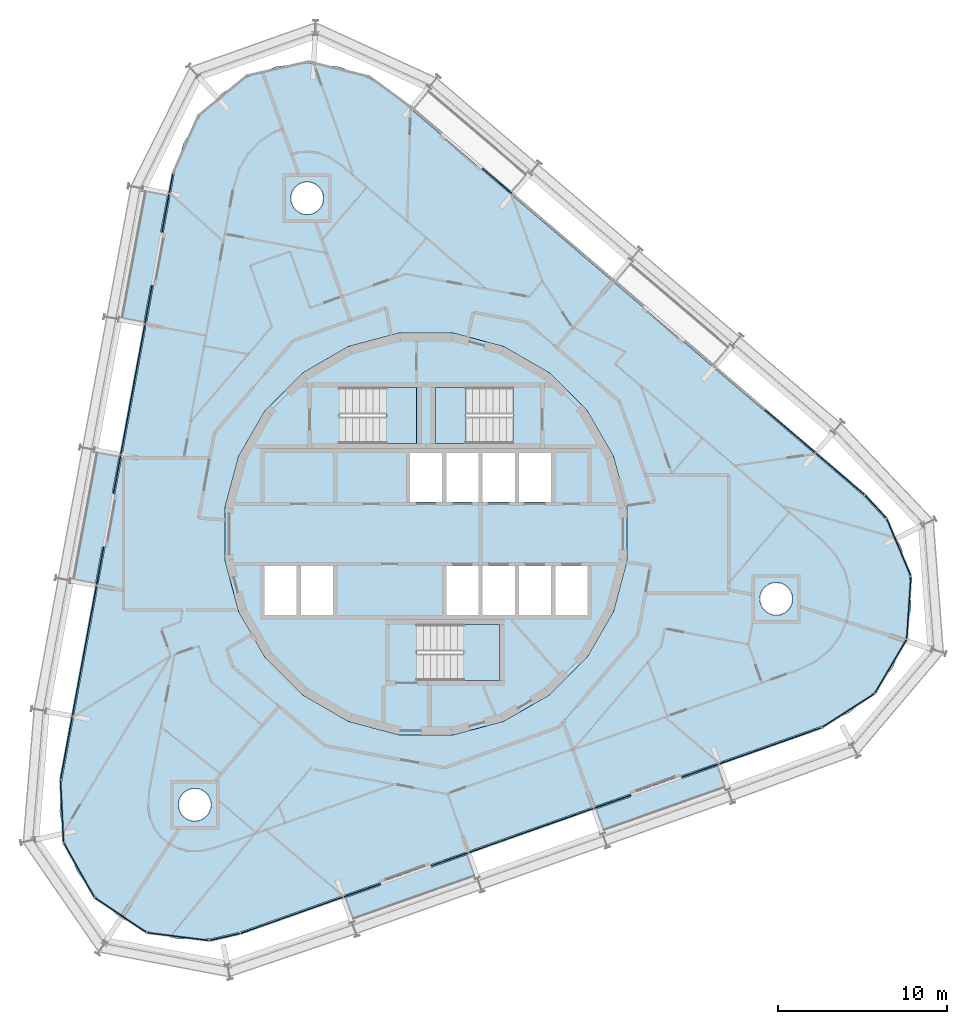
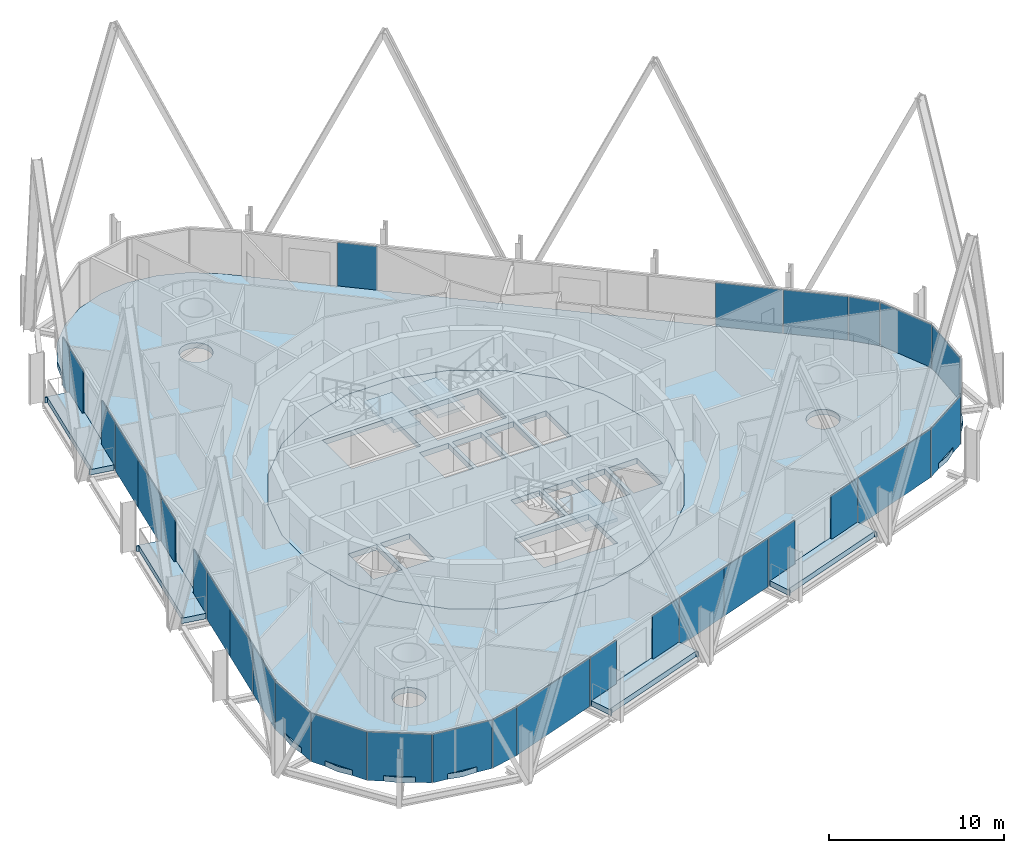
# One storey, part 9 of 17: 31 plates, 9 slabs, 9 elements without a shape of their own.
"""IFC4 building model written with IfcOpenShell, lengths in metres."""

from ifc_helpers import new_model, si_unit, direction, frame, origin, origin_2d, place, context, subcontext, project, spatial, polyline, rectangle, outline, extrude, material, layer, layer_set, type_object, element, aggregate, save


model = new_model("IFC4")

# Units and contexts
model_context = context("Model", 3, precision=1e-05, world=origin(), true_north=direction((0.0, 1.0)))
body_context = subcontext(model_context, "Body", "Model", "MODEL_VIEW")
ifc_project = project(units=[si_unit("LENGTHUNIT", "METRE"), si_unit("AREAUNIT", "SQUARE_METRE"), si_unit("VOLUMEUNIT", "CUBIC_METRE"), si_unit("PLANEANGLEUNIT", "RADIAN"), si_unit("MASSUNIT", "GRAM", prefix="KILO")], contexts=[model_context])

# Site, building, storey
site_placement = place(None, origin())
site = spatial("IfcSite", under=ifc_project, at=site_placement, CompositionType="ELEMENT")
building_placement = place(site_placement, origin())
building = spatial("IfcBuilding", under=site, at=building_placement, Name="Spindle Arch Residences", CompositionType="ELEMENT")
storey_placement = place(building_placement, frame((0.0, 0.0, 165.699951171875)))
storey = spatial("IfcBuildingStorey", under=building, at=storey_placement, Name="L41", CompositionType="ELEMENT", Elevation=165.699951171875)

# Slabs
ifc_material_1 = material(Name="Concrete C40/50", Category="concrete")
ifc_layer_1 = layer(ifc_material_1, 0.3798828125)
ifc_layer_set_1 = layer_set([ifc_layer_1], Name="Balcony slab 380")
slab_type_1 = type_object("IfcSlabType", Name="Balcony slab 380", PredefinedType="FLOOR", material=ifc_layer_set_1)
slab_1_placement = place(storey_placement, frame((0.0, 0.0, -0.3798828125)))
element("IfcSlab", 1, at=slab_1_placement, inside=storey, type_object=slab_type_1, Name="Balcony L41 bay 1", PredefinedType="FLOOR", context=body_context, shape_type="SweptSolid", body=[
    extrude(outline(polyline([(10.512451171875, -17.6884765625), (10.583251953125, -17.663330078125), (10.533203125, -17.52197265625), (17.65966796875, -14.998291015625), (17.709716796875, -15.1396484375), (17.7802734375, -15.11474609375), (17.282958984375, -13.710205078125), (15.1572265625, -14.462890625), (15.10400390625, -14.31201171875), (12.08740234375, -15.38037109375), (12.140869140625, -15.531005859375), (10.01513671875, -16.283935546875), (10.512451171875, -17.6884765625)])), origin(), (0.0, 0.0, 1.0), 0.3798828125),
])
slab_2_placement = place(storey_placement, frame((0.0, 0.0, -0.3798828125)))
element("IfcSlab", 2, at=slab_2_placement, inside=storey, type_object=slab_type_1, Name="Balcony L41 bay 13", PredefinedType="FLOOR", context=body_context, shape_type="SweptSolid", body=[
    extrude(outline(polyline([(-16.755126953125, 20.349365234375), (-16.768798828125, 20.275634765625), (-16.621337890625, 20.248291015625), (-17.9990234375, 12.814697265625), (-18.146484375, 12.842041015625), (-18.16015625, 12.768310546875), (-16.695068359375, 12.496826171875), (-16.2841796875, 14.714111328125), (-16.126953125, 14.684814453125), (-15.543701171875, 17.831298828125), (-15.700927734375, 17.860595703125), (-15.2900390625, 20.077880859375), (-16.755126953125, 20.349365234375)])), origin(), (0.0, 0.0, 1.0), 0.3798828125),
])
slab_3_placement = place(storey_placement, frame((0.0, 0.0, -0.3798828125)))
element("IfcSlab", 3, at=slab_3_placement, inside=storey, type_object=slab_type_1, Name="Balcony L41 bay 15", PredefinedType="FLOOR", context=body_context, shape_type="SweptSolid", body=[
    extrude(outline(polyline([(-19.619873046875, 4.892333984375), (-19.633544921875, 4.818603515625), (-19.486083984375, 4.791259765625), (-20.86376953125, -2.64208984375), (-21.01123046875, -2.61474609375), (-21.02490234375, -2.6884765625), (-19.559814453125, -2.960205078125), (-19.14892578125, -0.742919921875), (-18.99169921875, -0.77197265625), (-18.408447265625, 2.37451171875), (-18.56591796875, 2.403564453125), (-18.15478515625, 4.620849609375), (-19.619873046875, 4.892333984375)])), origin(), (0.0, 0.0, 1.0), 0.3798828125),
])
slab_4_placement = place(storey_placement, frame((0.0, 0.0, -0.3798828125)))
element("IfcSlab", 4, at=slab_4_placement, inside=storey, type_object=slab_type_1, Name="Balcony L41 bay 21", PredefinedType="FLOOR", context=body_context, shape_type="SweptSolid", body=[
    extrude(outline(polyline([(-4.305908203125, -22.935791015625), (-4.2353515625, -22.910888671875), (-4.285400390625, -22.76953125), (2.841064453125, -20.245849609375), (2.89111328125, -20.38720703125), (2.9619140625, -20.3623046875), (2.464599609375, -18.957763671875), (0.3388671875, -19.71044921875), (0.285400390625, -19.5595703125), (-2.73095703125, -20.627685546875), (-2.677734375, -20.778564453125), (-4.80322265625, -21.53125), (-4.305908203125, -22.935791015625)])), origin(), (0.0, 0.0, 1.0), 0.3798828125),
])
ifc_material_2 = material(Name="Concrete C50/60", Category="concrete")
ifc_layer_2 = layer(ifc_material_2, 0.3798828125)
ifc_layer_set_2 = layer_set([ifc_layer_2], Name="Core floor slab 380")
slab_type_2 = type_object("IfcSlabType", Name="Core floor slab 380", PredefinedType="FLOOR", material=ifc_layer_set_2)
slab_5_placement = place(storey_placement, frame((0.0, 0.0, -0.3798828125)))
element("IfcSlab", 5, at=slab_5_placement, inside=storey, type_object=slab_type_2, Name="Core floor L41", PredefinedType="FLOOR", context=body_context, shape_type="SweptSolid", body=[
    extrude(outline(polyline([(1.56640625, -11.897216796875), (4.59228515625, -11.086669921875), (7.30517578125, -9.520263671875), (9.520263671875, -7.30517578125), (11.086669921875, -4.59228515625), (11.897216796875, -1.56640625), (11.897216796875, 1.56640625), (11.086669921875, 4.59228515625), (9.520263671875, 7.30517578125), (7.30517578125, 9.520263671875), (4.59228515625, 11.086669921875), (1.56640625, 11.897216796875), (-1.56640625, 11.897216796875), (-4.59228515625, 11.086669921875), (-7.30517578125, 9.520263671875), (-9.520263671875, 7.30517578125), (-11.086669921875, 4.59228515625), (-11.897216796875, 1.56640625), (-11.897216796875, -1.56640625), (-11.086669921875, -4.59228515625), (-9.520263671875, -7.30517578125), (-7.30517578125, -9.520263671875), (-4.59228515625, -11.086669921875), (-1.56640625, -11.897216796875), (1.56640625, -11.897216796875)]), holes=[polyline([(-0.949951171875, 1.89990234375), (0.949951171875, 1.89990234375), (0.949951171875, 4.800048828125), (-0.949951171875, 4.800048828125), (-0.949951171875, 1.89990234375)]), polyline([(1.199951171875, 1.89990234375), (3.10009765625, 1.89990234375), (3.10009765625, 4.800048828125), (1.199951171875, 4.800048828125), (1.199951171875, 1.89990234375)]), polyline([(3.35009765625, 1.89990234375), (5.25, 1.89990234375), (5.25, 4.800048828125), (3.35009765625, 4.800048828125), (3.35009765625, 1.89990234375)]), polyline([(5.5, 1.89990234375), (7.39990234375, 1.89990234375), (7.39990234375, 4.800048828125), (5.5, 4.800048828125), (5.5, 1.89990234375)]), polyline([(-9.550048828125, -4.800048828125), (-7.64990234375, -4.800048828125), (-7.64990234375, -1.89990234375), (-9.550048828125, -1.89990234375), (-9.550048828125, -4.800048828125)]), polyline([(-7.39990234375, -4.800048828125), (-5.5, -4.800048828125), (-5.5, -1.89990234375), (-7.39990234375, -1.89990234375), (-7.39990234375, -4.800048828125)]), polyline([(1.199951171875, -4.800048828125), (3.10009765625, -4.800048828125), (3.10009765625, -1.89990234375), (1.199951171875, -1.89990234375), (1.199951171875, -4.800048828125)]), polyline([(3.35009765625, -4.800048828125), (5.25, -4.800048828125), (5.25, -1.89990234375), (3.35009765625, -1.89990234375), (3.35009765625, -4.800048828125)]), polyline([(5.5, -4.800048828125), (7.39990234375, -4.800048828125), (7.39990234375, -1.89990234375), (5.5, -1.89990234375), (5.5, -4.800048828125)]), polyline([(7.64990234375, -4.800048828125), (9.550048828125, -4.800048828125), (9.550048828125, -1.89990234375), (7.64990234375, -1.89990234375), (7.64990234375, -4.800048828125)]), polyline([(5.1298828125, 8.669921875), (0.550048828125, 8.669921875), (0.550048828125, 5.35009765625), (5.1298828125, 5.35009765625), (5.1298828125, 8.669921875)]), polyline([(-5.1298828125, 5.35009765625), (-0.550048828125, 5.35009765625), (-0.550048828125, 8.669921875), (-5.1298828125, 8.669921875), (-5.1298828125, 5.35009765625)]), polyline([(-0.530029296875, -8.669921875), (4.35009765625, -8.669921875), (4.35009765625, -5.35009765625), (-0.530029296875, -5.35009765625), (-0.530029296875, -8.669921875)])]), origin(), (0.0, 0.0, 1.0), 0.3798828125),
])

# Stair, slab
ifc_material_3 = material(Name="Concrete C50/60", Category="concrete")
stair_type = type_object("IfcStairType", Name="Exit stair 16 risers", PredefinedType="HALF_TURN_STAIR", material=ifc_material_3)
stair_1_placement = place(storey_placement, origin())
stair_1 = element("IfcStair", 6, at=stair_1_placement, inside=storey, type_object=stair_type, Name="L41 Exit stair ST1", PredefinedType="HALF_TURN_STAIR")
ifc_material_4 = material(Name="Concrete C50/60", Category="concrete")
ifc_layer_3 = layer(ifc_material_4, 0.219970703125)
ifc_layer_set_3 = layer_set([ifc_layer_3], Name="Exit stair landing 220")
slab_type_3 = type_object("IfcSlabType", Name="Exit stair landing 220", PredefinedType="LANDING", material=ifc_layer_set_3)
slab_6_placement = place(storey_placement, frame((0.0, 0.0, 1.530029296875)))
slab_6 = element("IfcSlab", 7, at=slab_6_placement, type_object=slab_type_3, Name="ST1 landing 1", PredefinedType="LANDING", context=body_context, shape_type="SweptSolid", body=[
    extrude(outline(polyline([(2.3701171875, 8.669921875), (0.550048828125, 8.669921875), (0.550048828125, 5.35009765625), (2.3701171875, 5.35009765625), (2.3701171875, 8.669921875)])), origin(), (0.0, 0.0, 1.0), 0.219970703125),
])
aggregate(stair_1, [slab_6])

stair_2_placement = place(storey_placement, origin())
stair_2 = element("IfcStair", 8, at=stair_2_placement, inside=storey, type_object=stair_type, Name="L41 Exit stair ST2", PredefinedType="HALF_TURN_STAIR")
slab_7_placement = place(storey_placement, frame((0.0, 0.0, 1.530029296875)))
slab_7 = element("IfcSlab", 9, at=slab_7_placement, type_object=slab_type_3, Name="ST2 landing 1", PredefinedType="LANDING", context=body_context, shape_type="SweptSolid", body=[
    extrude(outline(polyline([(-2.3701171875, 5.35009765625), (-0.550048828125, 5.35009765625), (-0.550048828125, 8.669921875), (-2.3701171875, 8.669921875), (-2.3701171875, 5.35009765625)])), origin(), (0.0, 0.0, 1.0), 0.219970703125),
])
aggregate(stair_2, [slab_7])

stair_3_placement = place(storey_placement, origin())
stair_3 = element("IfcStair", 10, at=stair_3_placement, inside=storey, type_object=stair_type, Name="L41 Exit stair ST3", PredefinedType="HALF_TURN_STAIR")
slab_8_placement = place(storey_placement, frame((0.0, 0.0, 1.530029296875)))
slab_8 = element("IfcSlab", 11, at=slab_8_placement, type_object=slab_type_3, Name="ST3 landing 1", PredefinedType="LANDING", context=body_context, shape_type="SweptSolid", body=[
    extrude(outline(polyline([(2.22998046875, -8.669921875), (4.35009765625, -8.669921875), (4.35009765625, -5.35009765625), (2.22998046875, -5.35009765625), (2.22998046875, -8.669921875)])), origin(), (0.0, 0.0, 1.0), 0.219970703125),
])
aggregate(stair_3, [slab_8])

# Slab
ifc_material_5 = material(Name="Concrete C40/50", Category="concrete")
ifc_layer_4 = layer(ifc_material_5, 0.3798828125)
ifc_layer_set_4 = layer_set([ifc_layer_4], Name="Floor slab 380")
slab_type_4 = type_object("IfcSlabType", Name="Floor slab 380", PredefinedType="FLOOR", material=ifc_layer_set_4)
slab_9_placement = place(storey_placement, frame((0.0, 0.0, -0.3798828125)))
element("IfcSlab", 12, at=slab_9_placement, inside=storey, type_object=slab_type_4, Name="Floor slab L41", PredefinedType="FLOOR", context=body_context, shape_type="SweptSolid", body=[
    extrude(outline(polyline([(-12.82177734375, -23.972412109375), (-14.67919921875, -23.9560546875), (-16.48291015625, -23.511962890625), (-18.135498046875, -22.663818359375), (-19.5478515625, -21.45751953125), (-20.64404296875, -19.9580078125), (-21.36474609375, -18.24609375), (-21.67138671875, -16.4140625), (-21.547119140625, -14.560791015625), (-14.89794921875, 21.3154296875), (-14.349609375, 23.090087890625), (-13.406982421875, 24.690673828125), (-12.12060546875, 26.030517578125), (-10.559814453125, 27.03759765625), (-8.808837890625, 27.65771484375), (-6.962158203125, 27.857421875), (-5.119140625, 27.62548828125), (-3.37939453125, 26.97509765625), (-1.83642578125, 25.94091796875), (25.90869140625, 2.244384765625), (27.171630859375, 0.882080078125), (28.086181640625, -0.734619140625), (28.603515625, -2.5185546875), (28.6953125, -4.373779296875), (28.356689453125, -6.2001953125), (27.606201171875, -7.8994140625), (26.48388671875, -9.37939453125), (25.05078125, -10.56103515625), (23.383544921875, -11.380126953125), (6.186279296875, -17.469970703125), (-11.0107421875, -23.559814453125), (-12.82177734375, -23.972412109375)]), holes=[polyline([(7.30517578125, -9.520263671875), (9.520263671875, -7.30517578125), (11.086669921875, -4.59228515625), (11.897216796875, -1.56640625), (11.897216796875, 1.56640625), (11.086669921875, 4.59228515625), (9.520263671875, 7.30517578125), (7.30517578125, 9.520263671875), (4.59228515625, 11.086669921875), (1.56640625, 11.897216796875), (-1.56640625, 11.897216796875), (-4.59228515625, 11.086669921875), (-7.30517578125, 9.520263671875), (-9.520263671875, 7.30517578125), (-11.086669921875, 4.59228515625), (-11.897216796875, 1.56640625), (-11.897216796875, -1.56640625), (-11.086669921875, -4.59228515625), (-9.520263671875, -7.30517578125), (-7.30517578125, -9.520263671875), (-4.59228515625, -11.086669921875), (-1.56640625, -11.897216796875), (1.56640625, -11.897216796875), (4.59228515625, -11.086669921875), (7.30517578125, -9.520263671875)]), polyline([(-12.99169921875, -16.7080078125), (-12.87060546875, -16.560302734375), (-12.780517578125, -16.3916015625), (-12.724853515625, -16.208740234375), (-12.706298828125, -16.0185546875), (-12.724853515625, -15.828369140625), (-12.780517578125, -15.6455078125), (-12.87060546875, -15.476806640625), (-12.99169921875, -15.3291015625), (-13.139404296875, -15.2080078125), (-13.30810546875, -15.117919921875), (-13.490966796875, -15.062255859375), (-13.68115234375, -15.043701171875), (-13.871337890625, -15.062255859375), (-14.05419921875, -15.117919921875), (-14.222900390625, -15.2080078125), (-14.37060546875, -15.3291015625), (-14.491943359375, -15.476806640625), (-14.58203125, -15.6455078125), (-14.637451171875, -15.828369140625), (-14.65625, -16.0185546875), (-14.637451171875, -16.208740234375), (-14.58203125, -16.3916015625), (-14.491943359375, -16.560302734375), (-14.37060546875, -16.7080078125), (-14.222900390625, -16.829345703125), (-14.05419921875, -16.91943359375), (-13.871337890625, -16.974853515625), (-13.68115234375, -16.99365234375), (-13.490966796875, -16.974853515625), (-13.30810546875, -16.91943359375), (-13.139404296875, -16.829345703125), (-12.99169921875, -16.7080078125)]), polyline([(-6.22119140625, 19.31591796875), (-6.131103515625, 19.484619140625), (-6.07568359375, 19.66748046875), (-6.056884765625, 19.857666015625), (-6.07568359375, 20.0478515625), (-6.131103515625, 20.230712890625), (-6.22119140625, 20.3994140625), (-6.342529296875, 20.547119140625), (-6.490234375, 20.668212890625), (-6.65869140625, 20.75830078125), (-6.841796875, 20.81396484375), (-7.031982421875, 20.83251953125), (-7.22216796875, 20.81396484375), (-7.405029296875, 20.75830078125), (-7.573486328125, 20.668212890625), (-7.72119140625, 20.547119140625), (-7.842529296875, 20.3994140625), (-7.9326171875, 20.230712890625), (-7.98828125, 20.0478515625), (-8.0068359375, 19.857666015625), (-7.98828125, 19.66748046875), (-7.9326171875, 19.484619140625), (-7.842529296875, 19.31591796875), (-7.72119140625, 19.168212890625), (-7.573486328125, 19.046875), (-7.405029296875, 18.956787109375), (-7.22216796875, 18.9013671875), (-7.031982421875, 18.882568359375), (-6.841796875, 18.9013671875), (-6.65869140625, 18.956787109375), (-6.490234375, 19.046875), (-6.342529296875, 19.168212890625), (-6.22119140625, 19.31591796875)]), polyline([(21.523681640625, -4.380615234375), (21.614013671875, -4.212158203125), (21.66943359375, -4.029296875), (21.68798828125, -3.839111328125), (21.66943359375, -3.648681640625), (21.614013671875, -3.4658203125), (21.523681640625, -3.29736328125), (21.402587890625, -3.149658203125), (21.2548828125, -3.0283203125), (21.086181640625, -2.938232421875), (20.9033203125, -2.8828125), (20.713134765625, -2.864013671875), (20.52294921875, -2.8828125), (20.340087890625, -2.938232421875), (20.17138671875, -3.0283203125), (20.023681640625, -3.149658203125), (19.90234375, -3.29736328125), (19.812255859375, -3.4658203125), (19.7568359375, -3.648681640625), (19.738037109375, -3.839111328125), (19.7568359375, -4.029296875), (19.812255859375, -4.212158203125), (19.90234375, -4.380615234375), (20.023681640625, -4.5283203125), (20.17138671875, -4.649658203125), (20.340087890625, -4.73974609375), (20.52294921875, -4.79541015625), (20.713134765625, -4.81396484375), (20.9033203125, -4.79541015625), (21.086181640625, -4.73974609375), (21.2548828125, -4.649658203125), (21.402587890625, -4.5283203125), (21.523681640625, -4.380615234375)])]), origin(), (0.0, 0.0, 1.0), 0.3798828125),
])

# Curtain wall, plates
ifc_material_6 = material(Name="Aluminium bronze unitised frame with tinted glass", Category="aluminium")
ifc_layer_5 = layer(ifc_material_6, 0.159912109375)
ifc_layer_set_5 = layer_set([ifc_layer_5], Name="CW-D corner wall on the fillet arcs")
curtain_wall_type_1 = type_object("IfcCurtainWallType", Name="CW-D corner wall on the fillet arcs", PredefinedType="NOTDEFINED", material=ifc_layer_set_5)
curtain_wall_1_placement = place(storey_placement, origin())
curtain_wall_1 = element("IfcCurtainWall", 13, at=curtain_wall_1_placement, inside=storey, type_object=curtain_wall_type_1, Name="CW-D L41 run 1", PredefinedType="NOTDEFINED")
ifc_material_7 = material(Name="Tinted double glazing over aluminium faced non-combustible spandrel zone (K0)", Category="aluminium")
ifc_layer_6 = layer(ifc_material_7, 0.06005859375)
ifc_layer_set_6 = layer_set([ifc_layer_6], Name="Unitised glass panel with E 60 spandrel zone")
plate_type = type_object("IfcPlateType", Name="Unitised glass panel with E 60 spandrel zone", PredefinedType="CURTAIN_PANEL", material=ifc_layer_set_6)
plate_1_placement = place(storey_placement, frame((20.36865234375, -12.53271484375, -0.3798828125), z_axis=(0.0, 0.0, 1.0), x_axis=(0.942641491092, 0.333806859234, 0.0)))
plate_1 = element("IfcPlate", 14, at=plate_1_placement, type_object=plate_type, Name="CW-D unit 00", PredefinedType="CURTAIN_PANEL", context=body_context, shape_type="SweptSolid", body=[
    extrude(rectangle(XDim=6.3935546875, YDim=0.06005859375, at=origin_2d()), origin(), (0.0, 0.0, 1.0), 3.3798828125),
])
plate_2_placement = place(storey_placement, frame((24.97607421875, -10.445068359375, -0.3798828125), z_axis=(0.0, 0.0, 1.0), x_axis=(0.840251309898, 0.542197137778, 0.0)))
plate_2 = element("IfcPlate", 15, at=plate_2_placement, type_object=plate_type, Name="CW-D unit 01", PredefinedType="CURTAIN_PANEL", context=body_context, shape_type="SweptSolid", body=[
    extrude(rectangle(XDim=3.666748046875, YDim=0.06005859375, at=origin_2d()), origin(), (0.0, 0.0, 1.0), 3.3798828125),
])
plate_3_placement = place(storey_placement, frame((27.487548828125, -7.829345703125, -0.3798828125), z_axis=(0.0, 0.0, 1.0), x_axis=(0.507538365713, 0.86162915882, 0.0)))
plate_3 = element("IfcPlate", 16, at=plate_3_placement, type_object=plate_type, Name="CW-D unit 02", PredefinedType="CURTAIN_PANEL", context=body_context, shape_type="SweptSolid", body=[
    extrude(rectangle(XDim=3.666748046875, YDim=0.06005859375, at=origin_2d()), origin(), (0.0, 0.0, 1.0), 3.3798828125),
])
plate_4_placement = place(storey_placement, frame((28.557861328125, -4.364501953125, -0.3798828125), z_axis=(0.0, 0.0, 1.0), x_axis=(0.066854392204, 0.997762742461, 0.0)))
plate_4 = element("IfcPlate", 17, at=plate_4_placement, type_object=plate_type, Name="CW-D unit 03", PredefinedType="CURTAIN_PANEL", context=body_context, shape_type="SweptSolid", body=[
    extrude(rectangle(XDim=3.666748046875, YDim=0.06005859375, at=origin_2d()), origin(), (0.0, 0.0, 1.0), 3.3798828125),
])
plate_5_placement = place(storey_placement, frame((27.959228515625, -0.7880859375, -0.3798828125), z_axis=(0.0, 0.0, 1.0), x_axis=(-0.388051836633, 0.921637549195, 0.0)))
plate_5 = element("IfcPlate", 18, at=plate_5_placement, type_object=plate_type, Name="CW-D unit 04", PredefinedType="CURTAIN_PANEL", context=body_context, shape_type="SweptSolid", body=[
    extrude(rectangle(XDim=3.666748046875, YDim=0.06005859375, at=origin_2d()), origin(), (0.0, 0.0, 1.0), 3.3798828125),
])
plate_6_placement = place(storey_placement, frame((26.598388671875, 1.6171875, -0.3798828125), z_axis=(0.0, 0.0, 1.0), x_axis=(-0.679868057543, 0.733334455983, 0.0)))
plate_6 = element("IfcPlate", 19, at=plate_6_placement, type_object=plate_type, Name="CW-D unit 05", PredefinedType="CURTAIN_PANEL", context=body_context, shape_type="SweptSolid", body=[
    extrude(rectangle(XDim=1.816162109375, YDim=0.06005859375, at=origin_2d()), origin(), (0.0, 0.0, 1.0), 3.3798828125),
])
plate_7_placement = place(storey_placement, frame((24.503173828125, 3.550048828125, -0.3798828125), z_axis=(0.0, 0.0, 1.0), x_axis=(-0.7604059656, 0.64944804833, 0.0)))
plate_7 = element("IfcPlate", 20, at=plate_7_placement, type_object=plate_type, Name="CW-D unit 06", PredefinedType="CURTAIN_PANEL", context=body_context, shape_type="SweptSolid", body=[
    extrude(rectangle(XDim=3.7734375, YDim=0.06005859375, at=origin_2d()), origin(), (0.0, 0.0, 1.0), 3.3798828125),
])
aggregate(curtain_wall_1, [plate_1, plate_2, plate_3, plate_4, plate_5, plate_6, plate_7])

ifc_material_8 = material(Name="Aluminium bronze unitised frame with tinted glass", Category="aluminium")
ifc_layer_7 = layer(ifc_material_8, 0.159912109375)
ifc_layer_set_7 = layer_set([ifc_layer_7], Name="CW-C typical residential unitised wall")
curtain_wall_type_2 = type_object("IfcCurtainWallType", Name="CW-C typical residential unitised wall", PredefinedType="NOTDEFINED", material=ifc_layer_set_7)
curtain_wall_2_placement = place(storey_placement, origin())
curtain_wall_2 = element("IfcCurtainWall", 21, at=curtain_wall_2_placement, inside=storey, type_object=curtain_wall_type_2, Name="CW-C L41 run 2", PredefinedType="NOTDEFINED")
plate_8_placement = place(storey_placement, frame((21.5400390625, 6.08056640625, -0.3798828125), z_axis=(0.0, 0.0, 1.0), x_axis=(-0.7604059656, 0.64944804833, 0.0)))
plate_8 = element("IfcPlate", 22, at=plate_8_placement, type_object=plate_type, Name="CW-C unit 05A", PredefinedType="CURTAIN_PANEL", context=body_context, shape_type="SweptSolid", body=[
    extrude(rectangle(XDim=3.900146484375, YDim=0.06005859375, at=origin_2d()), origin(), (0.0, 0.0, 1.0), 3.3798828125),
])
plate_9_placement = place(storey_placement, frame((4.2177734375, 20.875244140625, -0.3798828125), z_axis=(0.0, 0.0, 1.0), x_axis=(-0.7604059656, 0.64944804833, 0.0)))
plate_9 = element("IfcPlate", 23, at=plate_9_placement, type_object=plate_type, Name="CW-C unit 08L", PredefinedType="CURTAIN_PANEL", context=body_context, shape_type="SweptSolid", body=[
    extrude(rectangle(XDim=2.300048828125, YDim=0.06005859375, at=origin_2d()), origin(), (0.0, 0.0, 1.0), 3.3798828125),
])
aggregate(curtain_wall_2, [plate_8, plate_9])

# Curtain wall, plate
curtain_wall_3_placement = place(storey_placement, origin())
curtain_wall_3 = element("IfcCurtainWall", 24, at=curtain_wall_3_placement, inside=storey, type_object=curtain_wall_type_1, Name="CW-D L41 run 3", PredefinedType="NOTDEFINED")
plate_10_placement = place(storey_placement, frame((-15.087158203125, 20.7333984375, -0.3798828125), z_axis=(0.0, 0.0, 1.0), x_axis=(-0.182235525492, -0.983254907564, 0.0)))
plate_10 = element("IfcPlate", 25, at=plate_10_placement, type_object=plate_type, Name="CW-D unit 05", PredefinedType="CURTAIN_PANEL", context=body_context, shape_type="SweptSolid", body=[
    extrude(rectangle(XDim=1.1533203125, YDim=0.06005859375, at=origin_2d()), origin(), (0.0, 0.0, 1.0), 3.3798828125),
])
aggregate(curtain_wall_3, [plate_10])

# Curtain wall, plates
curtain_wall_4_placement = place(storey_placement, origin())
curtain_wall_4 = element("IfcCurtainWall", 26, at=curtain_wall_4_placement, inside=storey, type_object=curtain_wall_type_2, Name="CW-C L41 run 4", PredefinedType="NOTDEFINED")
plate_11_placement = place(storey_placement, frame((-15.412841796875, 18.9765625, -0.3798828125), z_axis=(0.0, 0.0, 1.0), x_axis=(-0.182235525492, -0.983254907564, 0.0)))
plate_11 = element("IfcPlate", 27, at=plate_11_placement, type_object=plate_type, Name="CW-C unit 12L", PredefinedType="CURTAIN_PANEL", context=body_context, shape_type="SweptSolid", body=[
    extrude(rectangle(XDim=2.300048828125, YDim=0.06005859375, at=origin_2d()), origin(), (0.0, 0.0, 1.0), 3.3798828125),
])
plate_12_placement = place(storey_placement, frame((-16.4150390625, 13.56884765625, -0.3798828125), z_axis=(0.0, 0.0, 1.0), x_axis=(-0.182235525492, -0.983254907564, 0.0)))
plate_12 = element("IfcPlate", 28, at=plate_12_placement, type_object=plate_type, Name="CW-C unit 12R", PredefinedType="CURTAIN_PANEL", context=body_context, shape_type="SweptSolid", body=[
    extrude(rectangle(XDim=2.300048828125, YDim=0.06005859375, at=origin_2d()), origin(), (0.0, 0.0, 1.0), 3.3798828125),
])
plate_13_placement = place(storey_placement, frame((-16.990966796875, 10.461669921875, -0.3798828125), z_axis=(0.0, 0.0, 1.0), x_axis=(-0.182235525492, -0.983254907564, 0.0)))
plate_13 = element("IfcPlate", 29, at=plate_13_placement, type_object=plate_type, Name="CW-C unit 13A", PredefinedType="CURTAIN_PANEL", context=body_context, shape_type="SweptSolid", body=[
    extrude(rectangle(XDim=3.900146484375, YDim=0.06005859375, at=origin_2d()), origin(), (0.0, 0.0, 1.0), 3.3798828125),
])
plate_14_placement = place(storey_placement, frame((-17.70166015625, 6.626953125, -0.3798828125), z_axis=(0.0, 0.0, 1.0), x_axis=(-0.182235525492, -0.983254907564, 0.0)))
plate_14 = element("IfcPlate", 30, at=plate_14_placement, type_object=plate_type, Name="CW-C unit 13B", PredefinedType="CURTAIN_PANEL", context=body_context, shape_type="SweptSolid", body=[
    extrude(rectangle(XDim=3.900146484375, YDim=0.06005859375, at=origin_2d()), origin(), (0.0, 0.0, 1.0), 3.3798828125),
])
plate_15_placement = place(storey_placement, frame((-18.277587890625, 3.519775390625, -0.3798828125), z_axis=(0.0, 0.0, 1.0), x_axis=(-0.182235525492, -0.983254907564, 0.0)))
plate_15 = element("IfcPlate", 31, at=plate_15_placement, type_object=plate_type, Name="CW-C unit 14L", PredefinedType="CURTAIN_PANEL", context=body_context, shape_type="SweptSolid", body=[
    extrude(rectangle(XDim=2.300048828125, YDim=0.06005859375, at=origin_2d()), origin(), (0.0, 0.0, 1.0), 3.3798828125),
])
plate_16_placement = place(storey_placement, frame((-19.27978515625, -1.88818359375, -0.3798828125), z_axis=(0.0, 0.0, 1.0), x_axis=(-0.182235525492, -0.983254907564, 0.0)))
plate_16 = element("IfcPlate", 32, at=plate_16_placement, type_object=plate_type, Name="CW-C unit 14R", PredefinedType="CURTAIN_PANEL", context=body_context, shape_type="SweptSolid", body=[
    extrude(rectangle(XDim=2.300048828125, YDim=0.06005859375, at=origin_2d()), origin(), (0.0, 0.0, 1.0), 3.3798828125),
])
plate_17_placement = place(storey_placement, frame((-19.855712890625, -4.995361328125, -0.3798828125), z_axis=(0.0, 0.0, 1.0), x_axis=(-0.182235525492, -0.983254907564, 0.0)))
plate_17 = element("IfcPlate", 33, at=plate_17_placement, type_object=plate_type, Name="CW-C unit 15A", PredefinedType="CURTAIN_PANEL", context=body_context, shape_type="SweptSolid", body=[
    extrude(rectangle(XDim=3.900146484375, YDim=0.06005859375, at=origin_2d()), origin(), (0.0, 0.0, 1.0), 3.3798828125),
])
plate_18_placement = place(storey_placement, frame((-20.56640625, -8.830078125, -0.3798828125), z_axis=(0.0, 0.0, 1.0), x_axis=(-0.182235525492, -0.983254907564, 0.0)))
plate_18 = element("IfcPlate", 34, at=plate_18_placement, type_object=plate_type, Name="CW-C unit 15B", PredefinedType="CURTAIN_PANEL", context=body_context, shape_type="SweptSolid", body=[
    extrude(rectangle(XDim=3.900146484375, YDim=0.06005859375, at=origin_2d()), origin(), (0.0, 0.0, 1.0), 3.3798828125),
])
aggregate(curtain_wall_4, [plate_11, plate_12, plate_13, plate_14, plate_15, plate_16, plate_17, plate_18])

curtain_wall_5_placement = place(storey_placement, origin())
curtain_wall_5 = element("IfcCurtainWall", 35, at=curtain_wall_5_placement, inside=storey, type_object=curtain_wall_type_1, Name="CW-D L41 run 5", PredefinedType="NOTDEFINED")
plate_19_placement = place(storey_placement, frame((-21.276611328125, -12.66162109375, -0.3798828125), z_axis=(0.0, 0.0, 1.0), x_axis=(-0.182235525492, -0.983254907564, 0.0)))
plate_19 = element("IfcPlate", 36, at=plate_19_placement, type_object=plate_type, Name="CW-D unit 00", PredefinedType="CURTAIN_PANEL", context=body_context, shape_type="SweptSolid", body=[
    extrude(rectangle(XDim=3.7734375, YDim=0.06005859375, at=origin_2d()), origin(), (0.0, 0.0, 1.0), 3.3798828125),
])
plate_20_placement = place(storey_placement, frame((-21.53369140625, -16.4072265625, -0.3798828125), z_axis=(0.0, 0.0, 1.0), x_axis=(0.049430843939, -0.99877754864, 0.0)))
plate_20 = element("IfcPlate", 37, at=plate_20_placement, type_object=plate_type, Name="CW-D unit 01", PredefinedType="CURTAIN_PANEL", context=body_context, shape_type="SweptSolid", body=[
    extrude(rectangle(XDim=3.666748046875, YDim=0.06005859375, at=origin_2d()), origin(), (0.0, 0.0, 1.0), 3.3798828125),
])
plate_21_placement = place(storey_placement, frame((-20.524169921875, -19.89013671875, -0.3798828125), z_axis=(0.0, 0.0, 1.0), x_axis=(0.492423562185, -0.870355694762, 0.0)))
plate_21 = element("IfcPlate", 38, at=plate_21_placement, type_object=plate_type, Name="CW-D unit 02", PredefinedType="CURTAIN_PANEL", context=body_context, shape_type="SweptSolid", body=[
    extrude(rectangle(XDim=3.666748046875, YDim=0.06005859375, at=origin_2d()), origin(), (0.0, 0.0, 1.0), 3.3798828125),
])
plate_22_placement = place(storey_placement, frame((-18.05859375, -22.549560546875, -0.3798828125), z_axis=(0.0, 0.0, 1.0), x_axis=(0.830660688705, -0.556778968928, 0.0)))
plate_22 = element("IfcPlate", 39, at=plate_22_placement, type_object=plate_type, Name="CW-D unit 03", PredefinedType="CURTAIN_PANEL", context=body_context, shape_type="SweptSolid", body=[
    extrude(rectangle(XDim=3.666748046875, YDim=0.06005859375, at=origin_2d()), origin(), (0.0, 0.0, 1.0), 3.3798828125),
])
plate_23_placement = place(storey_placement, frame((-14.662109375, -23.8193359375, -0.3798828125), z_axis=(0.0, 0.0, 1.0), x_axis=(0.992187449327, -0.12475602349, 0.0)))
plate_23 = element("IfcPlate", 40, at=plate_23_placement, type_object=plate_type, Name="CW-D unit 04", PredefinedType="CURTAIN_PANEL", context=body_context, shape_type="SweptSolid", body=[
    extrude(rectangle(XDim=3.666748046875, YDim=0.06005859375, at=origin_2d()), origin(), (0.0, 0.0, 1.0), 3.3798828125),
])
plate_24_placement = place(storey_placement, frame((-11.898681640625, -23.843505859375, -0.3798828125), z_axis=(0.0, 0.0, 1.0), x_axis=(0.975020297465, 0.222115779565, 0.0)))
plate_24 = element("IfcPlate", 41, at=plate_24_placement, type_object=plate_type, Name="CW-D unit 05", PredefinedType="CURTAIN_PANEL", context=body_context, shape_type="SweptSolid", body=[
    extrude(rectangle(XDim=1.816162109375, YDim=0.06005859375, at=origin_2d()), origin(), (0.0, 0.0, 1.0), 3.3798828125),
])
plate_25_placement = place(storey_placement, frame((-7.9423828125, -22.55810546875, -0.3798828125), z_axis=(0.0, 0.0, 1.0), x_axis=(0.942641491092, 0.333806859234, 0.0)))
plate_25 = element("IfcPlate", 42, at=plate_25_placement, type_object=plate_type, Name="CW-D unit 06", PredefinedType="CURTAIN_PANEL", context=body_context, shape_type="SweptSolid", body=[
    extrude(rectangle(XDim=6.3935546875, YDim=0.06005859375, at=origin_2d()), origin(), (0.0, 0.0, 1.0), 3.3798828125),
])
aggregate(curtain_wall_5, [plate_19, plate_20, plate_21, plate_22, plate_23, plate_24, plate_25])

curtain_wall_6_placement = place(storey_placement, origin())
curtain_wall_6 = element("IfcCurtainWall", 43, at=curtain_wall_6_placement, inside=storey, type_object=curtain_wall_type_2, Name="CW-C L41 run 6", PredefinedType="NOTDEFINED")
plate_26_placement = place(storey_placement, frame((-3.788330078125, -21.087158203125, -0.3798828125), z_axis=(0.0, 0.0, 1.0), x_axis=(0.942641491092, 0.333806859234, 0.0)))
plate_26 = element("IfcPlate", 44, at=plate_26_placement, type_object=plate_type, Name="CW-C unit 20L", PredefinedType="CURTAIN_PANEL", context=body_context, shape_type="SweptSolid", body=[
    extrude(rectangle(XDim=2.300048828125, YDim=0.06005859375, at=origin_2d()), origin(), (0.0, 0.0, 1.0), 3.3798828125),
])
plate_27_placement = place(storey_placement, frame((1.396240234375, -19.251220703125, -0.3798828125), z_axis=(0.0, 0.0, 1.0), x_axis=(0.942641491092, 0.333806859234, 0.0)))
plate_27 = element("IfcPlate", 45, at=plate_27_placement, type_object=plate_type, Name="CW-C unit 20R", PredefinedType="CURTAIN_PANEL", context=body_context, shape_type="SweptSolid", body=[
    extrude(rectangle(XDim=2.300048828125, YDim=0.06005859375, at=origin_2d()), origin(), (0.0, 0.0, 1.0), 3.3798828125),
])
plate_28_placement = place(storey_placement, frame((4.375, -18.1962890625, -0.3798828125), z_axis=(0.0, 0.0, 1.0), x_axis=(0.942641491092, 0.333806859234, 0.0)))
plate_28 = element("IfcPlate", 46, at=plate_28_placement, type_object=plate_type, Name="CW-C unit 21A", PredefinedType="CURTAIN_PANEL", context=body_context, shape_type="SweptSolid", body=[
    extrude(rectangle(XDim=3.900146484375, YDim=0.06005859375, at=origin_2d()), origin(), (0.0, 0.0, 1.0), 3.3798828125),
])
plate_29_placement = place(storey_placement, frame((8.05126953125, -16.894287109375, -0.3798828125), z_axis=(0.0, 0.0, 1.0), x_axis=(0.942641491092, 0.333806859234, 0.0)))
plate_29 = element("IfcPlate", 47, at=plate_29_placement, type_object=plate_type, Name="CW-C unit 21B", PredefinedType="CURTAIN_PANEL", context=body_context, shape_type="SweptSolid", body=[
    extrude(rectangle(XDim=3.900146484375, YDim=0.06005859375, at=origin_2d()), origin(), (0.0, 0.0, 1.0), 3.3798828125),
])
plate_30_placement = place(storey_placement, frame((11.030029296875, -15.839599609375, -0.3798828125), z_axis=(0.0, 0.0, 1.0), x_axis=(0.942641491092, 0.333806859234, 0.0)))
plate_30 = element("IfcPlate", 48, at=plate_30_placement, type_object=plate_type, Name="CW-C unit 00L", PredefinedType="CURTAIN_PANEL", context=body_context, shape_type="SweptSolid", body=[
    extrude(rectangle(XDim=2.300048828125, YDim=0.06005859375, at=origin_2d()), origin(), (0.0, 0.0, 1.0), 3.3798828125),
])
plate_31_placement = place(storey_placement, frame((16.214599609375, -14.003662109375, -0.3798828125), z_axis=(0.0, 0.0, 1.0), x_axis=(0.942641491092, 0.333806859234, 0.0)))
plate_31 = element("IfcPlate", 49, at=plate_31_placement, type_object=plate_type, Name="CW-C unit 00R", PredefinedType="CURTAIN_PANEL", context=body_context, shape_type="SweptSolid", body=[
    extrude(rectangle(XDim=2.300048828125, YDim=0.06005859375, at=origin_2d()), origin(), (0.0, 0.0, 1.0), 3.3798828125),
])
aggregate(curtain_wall_6, [plate_26, plate_27, plate_28, plate_29, plate_30, plate_31])

save(model, "model.ifc")
